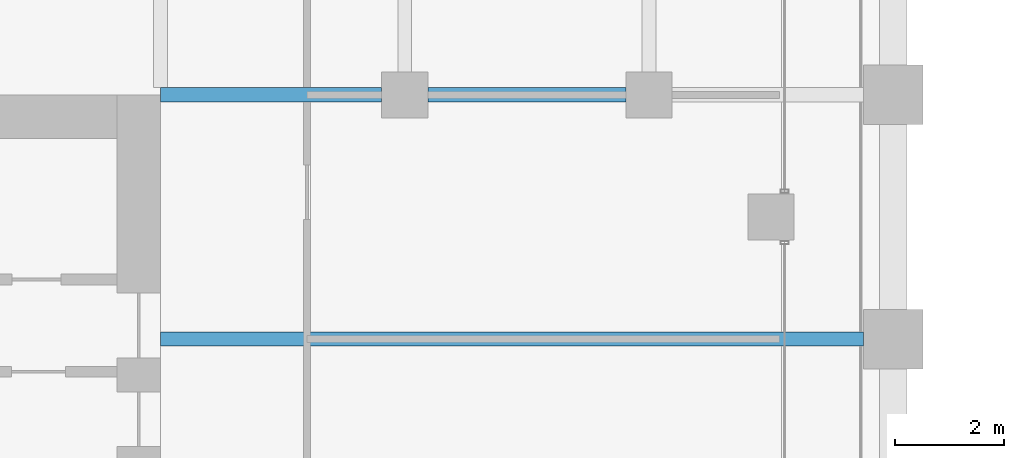
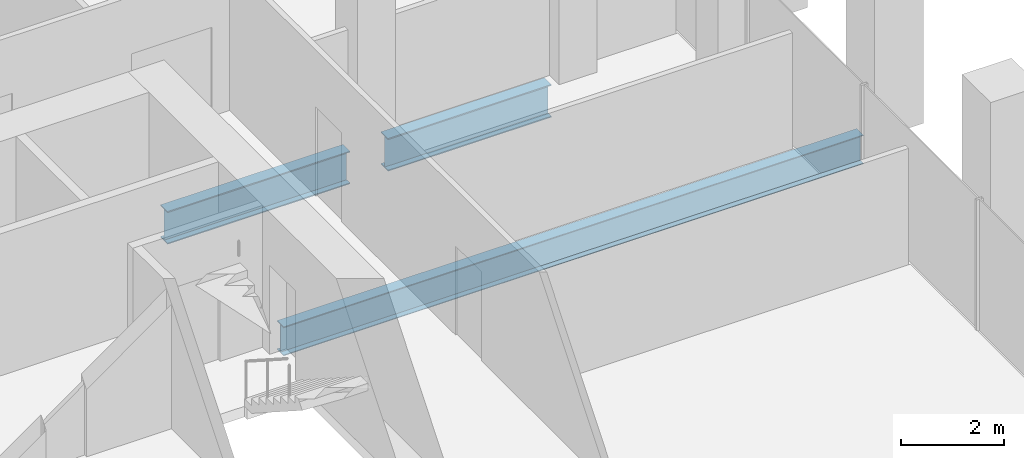
# One storey, part 21 of 56: 3 beams.
"""IFC4 building model written with IfcOpenShell, lengths in metres."""

from ifc_helpers import new_model, si_unit, direction, frame, origin, origin_2d, place, context, subcontext, project, spatial, i_section, extrude, material, material_profile, profile_set, type_object, element, save


model = new_model("IFC4")

# Units and contexts
model_context = context("Model", 3, precision=1e-05, world=origin(), true_north=direction((0.0, 1.0)))
body_context = subcontext(model_context, "Body", "Model", "MODEL_VIEW")
ifc_project = project(units=[si_unit("LENGTHUNIT", "METRE"), si_unit("AREAUNIT", "SQUARE_METRE"), si_unit("VOLUMEUNIT", "CUBIC_METRE"), si_unit("PLANEANGLEUNIT", "RADIAN"), si_unit("MASSUNIT", "GRAM", prefix="KILO")], contexts=[model_context])

# Site, building, storey
site_placement = place(None, origin())
site = spatial("IfcSite", under=ifc_project, at=site_placement, CompositionType="ELEMENT")
building_placement = place(site_placement, origin())
building = spatial("IfcBuilding", under=site, at=building_placement, Name="Altepetl Exchange Towers", CompositionType="ELEMENT")
storey_placement = place(building_placement, frame((0.0, 0.0, 51.0)))
storey = spatial("IfcBuildingStorey", under=building, at=storey_placement, Name="L11", CompositionType="ELEMENT", Elevation=51.0)

# Beams
ifc_material = material(Name="Steel S355", Category="steel")
ifc_material_profile_1 = material_profile(ifc_material, i_section(OverallWidth=0.25390625, OverallDepth=0.68408203125, WebThickness=0.012451171875, FlangeThickness=0.018798828125, at=origin_2d()), Name="W27X94")
ifc_profile_set_1 = profile_set([ifc_material_profile_1], Name="Steel S355")
beam_type_1 = type_object("IfcBeamType", Name="Floor beam W27X94", PredefinedType="BEAM", material=ifc_profile_set_1)
beam_1_placement = place(storey_placement, frame((58.5, 54.0, -0.491943359375), z_axis=(1.0, 0.0, 0.0), x_axis=(0.0, 1.0, 0.0)))
element("IfcBeam", 1, at=beam_1_placement, inside=storey, type_object=beam_type_1, Name="bm:A:L11:011", PredefinedType="BEAM", context=body_context, shape_type="SweptSolid", body=[
    extrude(i_section(OverallWidth=0.25390625, OverallDepth=0.68408203125, WebThickness=0.012451171875, FlangeThickness=0.018798828125, at=origin_2d()), origin(), (0.0, 0.0, 1.0), 12.949951171875),
])
ifc_material_profile_2 = material_profile(ifc_material, i_section(OverallWidth=0.26806640625, OverallDepth=0.77392578125, WebThickness=0.015380859375, FlangeThickness=0.025390625, at=origin_2d()), Name="W30X132")
ifc_profile_set_2 = profile_set([ifc_material_profile_2], Name="Steel S355")
beam_type_2 = type_object("IfcBeamType", Name="Girder W30X132", PredefinedType="BEAM", material=ifc_profile_set_2)
beam_2_placement = place(storey_placement, frame((58.5, 58.5, -0.537109375), z_axis=(1.0, 0.0, 0.0), x_axis=(0.0, 1.0, 0.0)))
element("IfcBeam", 2, at=beam_2_placement, inside=storey, type_object=beam_type_2, Name="gd:A:L11:000", PredefinedType="BEAM", context=body_context, shape_type="SweptSolid", body=[
    extrude(i_section(OverallWidth=0.26806640625, OverallDepth=0.77392578125, WebThickness=0.015380859375, FlangeThickness=0.025390625, at=origin_2d()), origin(), (0.0, 0.0, 1.0), 4.074951171875),
])
beam_3_placement = place(storey_placement, frame((63.425048828125, 58.5, -0.537109375), z_axis=(1.0, 0.0, 0.0), x_axis=(0.0, 1.0, 0.0)))
element("IfcBeam", 3, at=beam_3_placement, inside=storey, type_object=beam_type_2, Name="gd:A:L11:001", PredefinedType="BEAM", context=body_context, shape_type="SweptSolid", body=[
    extrude(i_section(OverallWidth=0.26806640625, OverallDepth=0.77392578125, WebThickness=0.015380859375, FlangeThickness=0.025390625, at=origin_2d()), origin(), (0.0, 0.0, 1.0), 3.64990234375),
])

save(model, "model.ifc")
